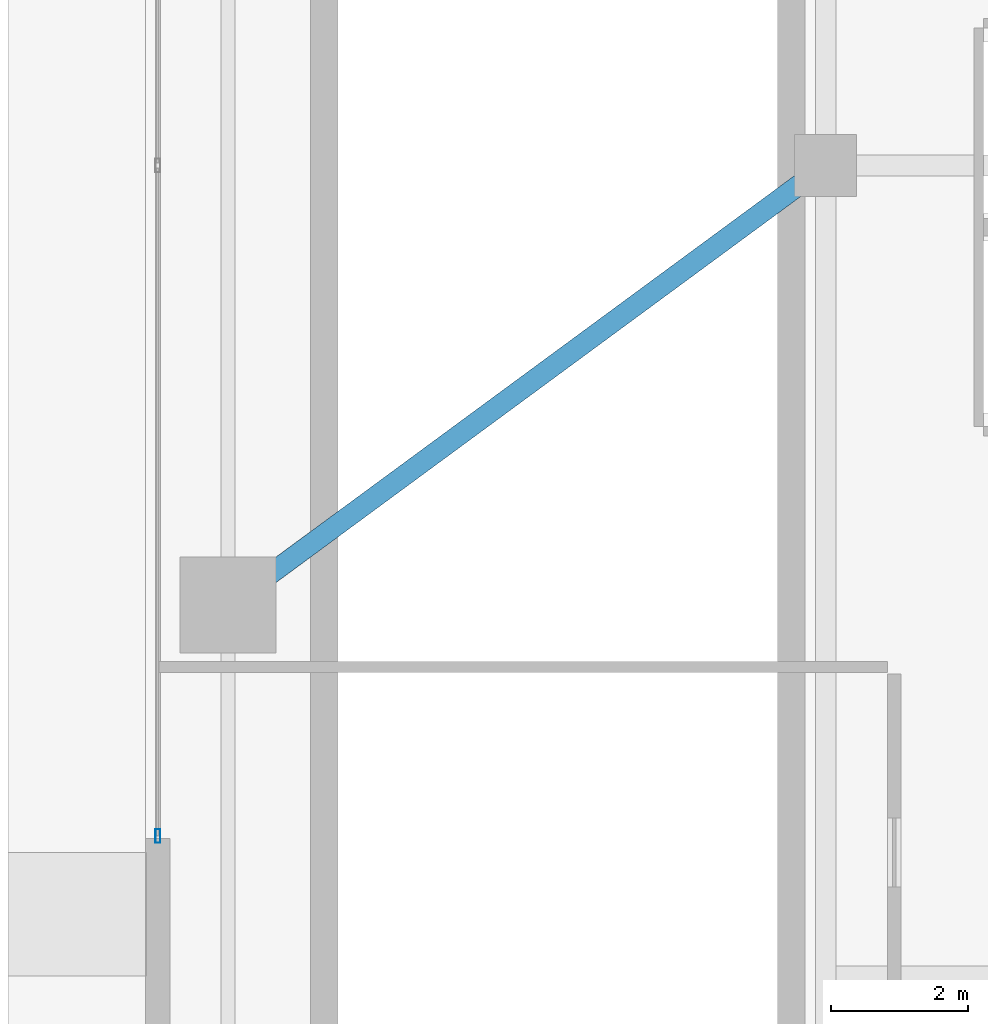
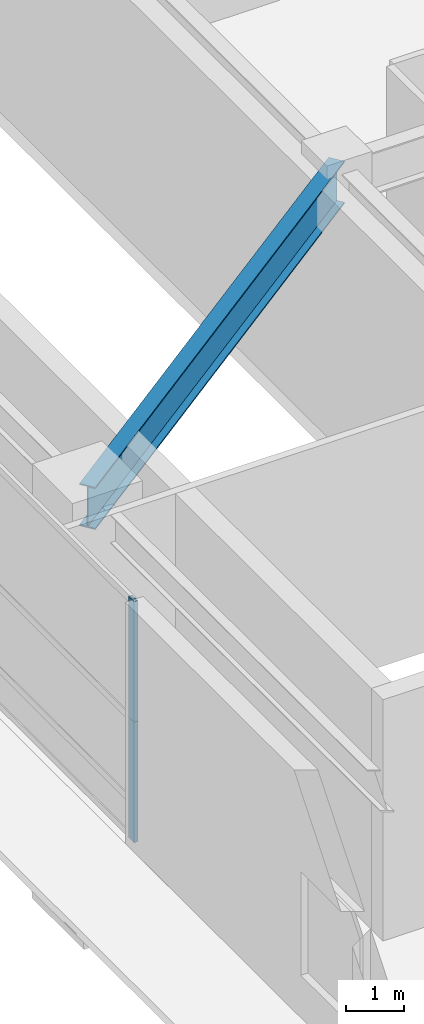
# One storey, part 6 of 32: 2 members, 1 beam, 1 element without a shape of its own.
"""IFC4 building model written with IfcOpenShell, lengths in metres."""

from ifc_helpers import new_model, si_unit, direction, frame, origin, origin_2d, place, context, subcontext, project, spatial, hollow_rectangle, i_section, extrude, source, transform, mapped, material, layer, layer_set, material_profile, profile_set, type_object, element, aggregate, save


model = new_model("IFC4")

# Units and contexts
model_context = context("Model", 3, precision=1e-05, world=origin(), true_north=direction((0.0, 1.0)))
body_context = subcontext(model_context, "Body", "Model", "MODEL_VIEW")
ifc_project = project(units=[si_unit("LENGTHUNIT", "METRE"), si_unit("AREAUNIT", "SQUARE_METRE"), si_unit("VOLUMEUNIT", "CUBIC_METRE"), si_unit("PLANEANGLEUNIT", "RADIAN"), si_unit("MASSUNIT", "GRAM", prefix="KILO"), si_unit("THERMODYNAMICTEMPERATUREUNIT", "KELVIN"), si_unit("POWERUNIT", "WATT")], contexts=[model_context])

# Site, building, storey
site_placement = place(None, origin())
site = spatial("IfcSite", under=ifc_project, at=site_placement, CompositionType="ELEMENT")
building_placement = place(site_placement, origin())
building = spatial("IfcBuilding", under=site, at=building_placement, Name="Yuzanri Waterfront Tower", CompositionType="ELEMENT")
storey_placement = place(building_placement, origin())
storey = spatial("IfcBuildingStorey", under=building, at=storey_placement, Name="L01", CompositionType="ELEMENT", Elevation=0.0)

# Beam
ifc_material_1 = material(Name="Steel Q355B", Category="steel")
ifc_material_profile_1 = material_profile(ifc_material_1, i_section(OverallWidth=0.300048828125, OverallDepth=0.89990234375, WebThickness=0.01611328125, FlangeThickness=0.028076171875, at=origin_2d()), Name="HN 900x300x16x28")
ifc_profile_set_1 = profile_set([ifc_material_profile_1], Name="Steel Q355B")
beam_type = type_object("IfcBeamType", Name="Primary Podium Girder Q355B HN 900x300", PredefinedType="BEAM", material=ifc_profile_set_1)
shared_shape_1 = source(origin(), body_context, "Body", "SweptSolid", [
    extrude(i_section(OverallWidth=0.300048828125, OverallDepth=0.89990234375, WebThickness=0.01611328125, FlangeThickness=0.028076171875, at=origin_2d()), origin(), (0.0, 0.0, 1.0), 10.800537109375),
])
beam_placement = place(storey_placement, frame((3.199951171875, 19.39990234375, 4.669921875), z_axis=(0.805512964712, 0.592578149851, 0.0), x_axis=(-0.592578149851, 0.805512964712, 0.0)))
element("IfcBeam", 1, at=beam_placement, inside=storey, type_object=beam_type, Name="L01 Podium West Girder 1", PredefinedType="BEAM", context=body_context, shape_type="MappedRepresentation", body=[
    mapped(shared_shape_1, transform((0.0, 0.0, 0.0), scale=1.0)),
])

# Curtain wall, members
ifc_material_2 = material(Name="Anodized Architectural Bronze", Category="metal")
ifc_layer = layer(ifc_material_2, 0.159912109375)
ifc_layer_set = layer_set([ifc_layer], Name="Anodized Architectural Bronze")
curtain_wall_type = type_object("IfcCurtainWallType", Name="Anodized Bronze Podium Waterfront Double-Height Unitized Curtain Wall 8400", PredefinedType="NOTDEFINED", material=ifc_layer_set)
curtain_wall_placement = place(storey_placement, origin())
curtain_wall = element("IfcCurtainWall", 2, at=curtain_wall_placement, inside=storey, type_object=curtain_wall_type, Name="L01 Curtain Wall CW-L01-W", PredefinedType="NOTDEFINED")
ifc_material_3 = material(Name="Anodized Architectural Bronze", Category="metal")
ifc_material_profile_2 = material_profile(ifc_material_3, hollow_rectangle(XDim=0.074951171875, YDim=0.199951171875, WallThickness=0.00390625, at=origin_2d()), Name="CWM 75x200")
ifc_profile_set_2 = profile_set([ifc_material_profile_2], Name="Anodized Architectural Bronze")
member_type = type_object("IfcMemberType", Name="Anodized Bronze Primary Curtain-Wall Mullion 75x200", PredefinedType="MULLION", material=ifc_profile_set_2)
shared_shape_2 = source(origin(), body_context, "Body", "SweptSolid", [
    extrude(hollow_rectangle(XDim=0.074951171875, YDim=0.199951171875, WallThickness=0.00390625, at=origin_2d()), origin(), (0.0, 0.0, 1.0), 2.55810546875),
])
member_1_placement = place(storey_placement, frame((2.179931640625, 16.0400390625, 0.0), z_axis=(0.0, 0.0, 1.0), x_axis=(1.0, 0.0, 0.0)))
member_1 = element("IfcMember", 3, at=member_1_placement, type_object=member_type, Name="CW-L01-W Lower Mullion 00", PredefinedType="MULLION", context=body_context, shape_type="MappedRepresentation", body=[
    mapped(shared_shape_2, transform((0.0, 0.0, 0.0), scale=1.0)),
])
member_2_placement = place(storey_placement, frame((2.179931640625, 16.0400390625, 2.56201171875), z_axis=(0.0, 0.0, 1.0), x_axis=(1.0, 0.0, 0.0)))
member_2 = element("IfcMember", 4, at=member_2_placement, type_object=member_type, Name="CW-L01-W Upper Mullion 00", PredefinedType="MULLION", context=body_context, shape_type="MappedRepresentation", body=[
    mapped(shared_shape_2, transform((0.0, 0.0, 0.0), scale=1.0)),
])
aggregate(curtain_wall, [member_1, member_2])

save(model, "model.ifc")
